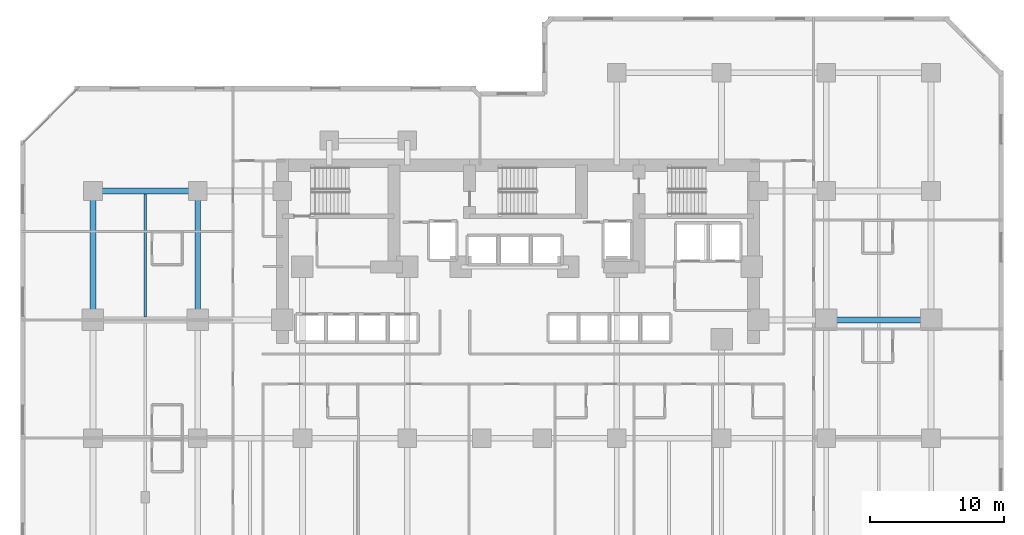
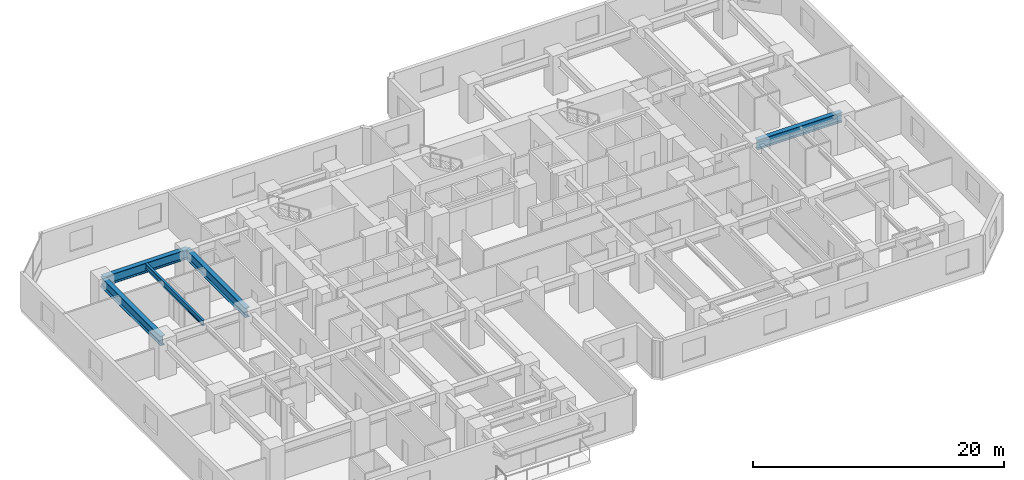
# One storey, part 2 of 12: 5 beams.
"""IFC4 building model written with IfcOpenShell, lengths in metres."""

import ifcopenshell
import ifcopenshell.guid

model = None  # the IFC model being written
_history = None  # IfcOwnerHistory: only IFC2X3 demands one
_inside = {}  # id of a spatial element -> (the spatial element, [elements in it])
_under = {}  # id of a project, library or spatial element -> (it, [spatial elements below it])
_declared = {}  # id of a project -> (the project, [libraries it declares])
_typed = {}  # id of a type object -> (the type object, [elements of that type])
_made_of = {}  # id of a material, layer set ... -> (it, [elements and type objects made of it])


def new_model(schema):
    """Start an empty IFC model of exactly this schema.

    Asked for "IFC4X3", IfcOpenShell would pick the latest addendum, in which some entities
    have other attributes; the version numbers below select the first issue.
    IFC2X3 requires an IfcOwnerHistory on every rooted entity: one is made here for all.
    """
    global model, _history
    if schema == "IFC4X3":
        model = ifcopenshell.file(schema_version=(4, 3, 0, 0))
    else:
        model = ifcopenshell.file(schema=schema)
    _inside.clear()
    _under.clear()
    _declared.clear()
    _typed.clear()
    _made_of.clear()
    _history = None
    if model.schema == "IFC2X3":
        org = make("IfcOrganization", Name="unknown")
        user = make(
            "IfcPersonAndOrganization",
            ThePerson=make("IfcPerson", FamilyName="unknown"),
            TheOrganization=org,
        )
        app = make(
            "IfcApplication",
            ApplicationDeveloper=org,
            Version="unknown",
            ApplicationFullName="unknown",
            ApplicationIdentifier="unknown",
        )
        _history = make(
            "IfcOwnerHistory",
            OwningUser=user,
            OwningApplication=app,
            ChangeAction="ADDED",
            CreationDate=0,
        )
    return model


def make(cls, **values):
    """One entity of the class cls with the attributes given. An attribute that is None is left unset."""
    return model.create_entity(
        cls, **{name: value for name, value in values.items() if value is not None}
    )


def rooted(cls, **values):
    """An entity with a GlobalId (a new one), such as an element, a storey or a relation."""
    return make(cls, GlobalId=ifcopenshell.guid.new(), OwnerHistory=_history, **values)


def si_unit(unit_type, name, prefix=None):
    """IfcSIUnit, for example si_unit("LENGTHUNIT", "METRE", prefix="MILLI")."""
    return make("IfcSIUnit", UnitType=unit_type, Prefix=prefix, Name=name)


def assignment(units):
    """IfcUnitAssignment: the units of a project."""
    return None if units is None else make("IfcUnitAssignment", Units=units)


def point(xyz):
    """IfcCartesianPoint."""
    return None if xyz is None else make("IfcCartesianPoint", Coordinates=xyz)


def direction(xyz):
    """IfcDirection."""
    return None if xyz is None else make("IfcDirection", DirectionRatios=xyz)


def frame(location, z_axis=None, x_axis=None):
    """IfcAxis2Placement3D, a coordinate frame: its origin and axes. An axis left out is left unset."""
    return make(
        "IfcAxis2Placement3D",
        Location=point(location),
        Axis=direction(z_axis),
        RefDirection=direction(x_axis),
    )


def frame_2d(location, x_axis=None):
    """IfcAxis2Placement2D, a coordinate frame in the plane: its origin and x axis."""
    return make(
        "IfcAxis2Placement2D", Location=point(location), RefDirection=direction(x_axis)
    )


def origin():
    """The frame at (0, 0, 0) with its axes left unset."""
    return frame((0.0, 0.0, 0.0))


def origin_2d():
    """The frame at (0, 0) in the plane with its x axis left unset."""
    return frame_2d((0.0, 0.0))


def place(relative_to, where):
    """IfcLocalPlacement: puts the frame where relative to a parent placement (None: the world)."""
    return make(
        "IfcLocalPlacement", PlacementRelTo=relative_to, RelativePlacement=where
    )


def context(
    kind, dimensions, precision=None, world=None, true_north=None, identifier=None
):
    """IfcGeometricRepresentationContext, for example the 3D "Model" context."""
    return make(
        "IfcGeometricRepresentationContext",
        ContextIdentifier=identifier,
        ContextType=kind,
        CoordinateSpaceDimension=dimensions,
        Precision=precision,
        WorldCoordinateSystem=world,
        TrueNorth=true_north,
    )


def subcontext(parent, identifier, kind, view, scale=None):
    """IfcGeometricRepresentationSubContext, for example "Body" below "Model"."""
    return make(
        "IfcGeometricRepresentationSubContext",
        ContextIdentifier=identifier,
        ContextType=kind,
        ParentContext=parent,
        TargetScale=scale,
        TargetView=view,
    )


def project(units=None, contexts=None):
    """IfcProject with its units and contexts."""
    return rooted(
        "IfcProject",
        Name="project",
        RepresentationContexts=contexts,
        UnitsInContext=assignment(units),
    )


def spatial(cls, under=None, at=None, **own):
    """A site, building, storey or space (cls), placed at a placement, below another one or the project."""
    s = rooted(cls, ObjectPlacement=at, **own)
    if under is not None:
        _under.setdefault(under.id(), (under, []))[1].append(s)
    return s


def profile(cls, at=None, kind="AREA", **sizes):
    """A parametric profile (cls). Its sizes go by their IFC names, for example OverallWidth=200.0."""
    return make(cls, ProfileType=kind, Position=at, **sizes)


def i_section(**sizes):
    """IfcIShapeProfileDef."""
    return profile("IfcIShapeProfileDef", **sizes)


def extrude(swept, where, along, depth):
    """IfcExtrudedAreaSolid: the profile swept, set in the frame where, extruded along a direction by depth."""
    return make(
        "IfcExtrudedAreaSolid",
        SweptArea=swept,
        Position=where,
        ExtrudedDirection=direction(along),
        Depth=depth,
    )


def shape(context_of_items, identifier, shape_type, items):
    """IfcShapeRepresentation: the items that make up one representation, for example the "Body"."""
    return make(
        "IfcShapeRepresentation",
        ContextOfItems=context_of_items,
        RepresentationIdentifier=identifier,
        RepresentationType=shape_type,
        Items=items,
    )


def material(Name=None, Category=None):
    """IfcMaterial."""
    return make("IfcMaterial", Name=Name, Category=Category)


def material_profile(
    of_material, cross_section, Name=None, Category=None, Priority=None
):
    """IfcMaterialProfile: a cross section and its material."""
    return make(
        "IfcMaterialProfile",
        Name=Name,
        Material=of_material,
        Profile=cross_section,
        Priority=Priority,
        Category=Category,
    )


def profile_set(profiles, Name=None, composite=None):
    """IfcMaterialProfileSet."""
    return make(
        "IfcMaterialProfileSet",
        Name=Name,
        MaterialProfiles=profiles,
        CompositeProfile=composite,
    )


def made_of(thing, what):
    """Note that an element or type object is made of a material, layer set ...; save() writes the relation."""
    if what is not None:
        _made_of.setdefault(what.id(), (what, []))[1].append(thing)
    return thing


def type_object(cls, material=None, **own):
    """A type object (cls), such as IfcWallType, which elements share."""
    return made_of(rooted(cls, **own), material)


def element(
    cls,
    number,
    at=None,
    inside=None,
    cuts=None,
    type_object=None,
    material=None,
    context=None,
    identifier="Body",
    shape_type=None,
    held_by="IfcProductDefinitionShape",
    body=None,
    shapes=None,
    **own,
):
    """One element of the class cls, such as IfcWall. Its Tag is "e" and its number.

    at: its placement. inside: the storey or other place that contains it. cuts: it is an
    opening in that element (IfcRelVoidsElement). A single representation is given by context,
    identifier, shape_type and body (its items); several are given by shapes. held_by: the class
    of the entity that holds the representations. save() writes the other relations.
    """
    e = rooted(cls, Tag="e%d" % number, ObjectPlacement=at, **own)
    if body is not None:
        shapes = [shape(context, identifier, shape_type, body)]
    if shapes is not None:
        e.Representation = make(held_by, Representations=shapes)
    if inside is not None:
        _inside.setdefault(inside.id(), (inside, []))[1].append(e)
    if cuts is not None:
        rooted(
            "IfcRelVoidsElement", RelatingBuildingElement=cuts, RelatedOpeningElement=e
        )
    if type_object is not None:
        _typed.setdefault(type_object.id(), (type_object, []))[1].append(e)
    return made_of(e, material)


def aggregate(whole, parts):
    """IfcRelAggregates: a whole, such as a stair, and the parts it consists of."""
    return rooted("IfcRelAggregates", RelatingObject=whole, RelatedObjects=parts)


def save(model, path):
    """Write the relations noted so far, then the file.

    IfcRelAggregates (storeys below a building ...), IfcRelContainedInSpatialStructure (elements
    in a storey), IfcRelDefinesByType, IfcRelAssociatesMaterial and IfcRelDeclares: one each for
    every whole, place, type object, material and project.
    """
    for whole, parts in _under.values():
        aggregate(whole, parts)
    for where, things in _inside.values():
        rooted(
            "IfcRelContainedInSpatialStructure",
            RelatedElements=things,
            RelatingStructure=where,
        )
    for kind, things in _typed.values():
        rooted("IfcRelDefinesByType", RelatedObjects=things, RelatingType=kind)
    for what, things in _made_of.values():
        rooted("IfcRelAssociatesMaterial", RelatedObjects=things, RelatingMaterial=what)
    for by, libraries in _declared.values():
        rooted("IfcRelDeclares", RelatingContext=by, RelatedDefinitions=libraries)
    model.write(path)


model = new_model("IFC4")

# Units and contexts
model_context = context("Model", 3, precision=1e-05, world=origin(), true_north=direction((0.0, 1.0)))
body_context = subcontext(model_context, "Body", "Model", "MODEL_VIEW")
ifc_project = project(units=[si_unit("LENGTHUNIT", "METRE"), si_unit("AREAUNIT", "SQUARE_METRE"), si_unit("VOLUMEUNIT", "CUBIC_METRE"), si_unit("PLANEANGLEUNIT", "RADIAN"), si_unit("MASSUNIT", "GRAM", prefix="KILO")], contexts=[model_context])

# Site, building, storey
site_placement = place(None, origin())
site = spatial("IfcSite", under=ifc_project, at=site_placement, CompositionType="ELEMENT")
building_placement = place(site_placement, origin())
building = spatial("IfcBuilding", under=site, at=building_placement, Name="Kestravale Grand Hotel", CompositionType="ELEMENT")
storey_placement = place(building_placement, frame((0.0, 0.0, 60.199951171875)))
storey = spatial("IfcBuildingStorey", under=building, at=storey_placement, Name="L14", CompositionType="ELEMENT", Elevation=60.199951171875)

# Beams
ifc_material_1 = material(Name="Steel ASTM A992 Grade 50", Category="steel")
ifc_material_profile_1 = material_profile(ifc_material_1, i_section(OverallWidth=0.2099609375, OverallDepth=0.535888671875, WebThickness=0.010986328125, FlangeThickness=0.017333984375, FilletRadius=0.017578125, at=origin_2d()))
ifc_profile_set_1 = profile_set([ifc_material_profile_1], Name="Steel ASTM A992 Grade 50")
beam_type_1 = type_object("IfcBeamType", Name="B-FLR-JST21", PredefinedType="JOIST", material=ifc_profile_set_1)
beam_placement = place(storey_placement, frame((11.699951171875, 29.011962890625, 3.27197265625), z_axis=(0.0, 1.0, 0.0), x_axis=(-1.0, 0.0, 0.0)))
element("IfcBeam", 1, at=beam_placement, inside=storey, type_object=beam_type_1, Name="L14 floor joist 2-3/E-F #1", PredefinedType="JOIST", context=body_context, shape_type="SweptSolid", body=[
    extrude(i_section(OverallWidth=0.2099609375, OverallDepth=0.535888671875, WebThickness=0.010986328125, FlangeThickness=0.017333984375, FilletRadius=0.017578125, at=origin_2d()), origin(), (0.0, 0.0, 1.0), 9.176025390625),
])
ifc_material_2 = material(Name="Steel ASTM A992 Grade 50", Category="steel")
ifc_material_profile_2 = material_profile(ifc_material_2, i_section(OverallWidth=0.424072265625, OverallDepth=0.947021484375, WebThickness=0.02392578125, FlangeThickness=0.042724609375, FilletRadius=0.0283203125, at=origin_2d()))
ifc_profile_set_2 = profile_set([ifc_material_profile_2], Name="Steel ASTM A992 Grade 50")
beam_type_2 = type_object("IfcBeamType", Name="B-GRD-W36", PredefinedType="BEAM", material=ifc_profile_set_2)
for number, where, z_axis, x_axis, name in (
    (2, (62.39990234375, 28.800048828125, 3.066650390625), (1.0, 0.0, 0.0), (0.0, 1.0, 0.0), "L14 girder E:10-11"),
    (3, (7.800048828125, 38.39990234375, 3.066650390625), (1.0, 0.0, 0.0), (0.0, 1.0, 0.0), "L14 girder F:2-3"),
):
    element("IfcBeam", number, at=place(storey_placement, frame(where, z_axis=z_axis, x_axis=x_axis)), inside=storey, type_object=beam_type_2, Name=name, PredefinedType="BEAM", context=body_context, shape_type="SweptSolid", body=[
        extrude(i_section(OverallWidth=0.424072265625, OverallDepth=0.947021484375, WebThickness=0.02392578125, FlangeThickness=0.042724609375, FilletRadius=0.0283203125, at=origin_2d()), origin(), (0.0, 0.0, 1.0), 7.800048828125),
    ])
for number, where, z_axis, x_axis, name in (
    (4, (7.800048828125, 28.800048828125, 3.066650390625), (0.0, 1.0, 0.0), (-1.0, 0.0, 0.0), "L14 girder 2:E-F"),
    (5, (15.60009765625, 28.800048828125, 3.066650390625), (0.0, 1.0, 0.0), (-1.0, 0.0, 0.0), "L14 girder 3:E-F"),
):
    element("IfcBeam", number, at=place(storey_placement, frame(where, z_axis=z_axis, x_axis=x_axis)), inside=storey, type_object=beam_type_2, Name=name, PredefinedType="BEAM", context=body_context, shape_type="SweptSolid", body=[
        extrude(i_section(OverallWidth=0.424072265625, OverallDepth=0.947021484375, WebThickness=0.02392578125, FlangeThickness=0.042724609375, FilletRadius=0.0283203125, at=origin_2d()), origin(), (0.0, 0.0, 1.0), 9.599853515625),
    ])

save(model, "model.ifc")
